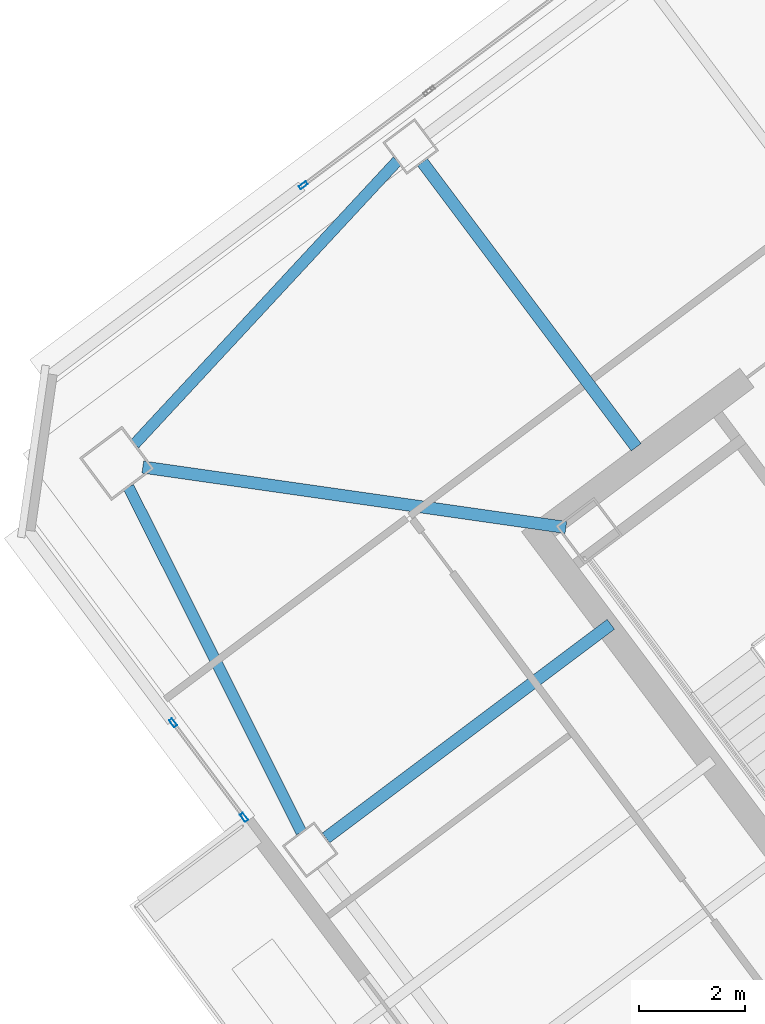
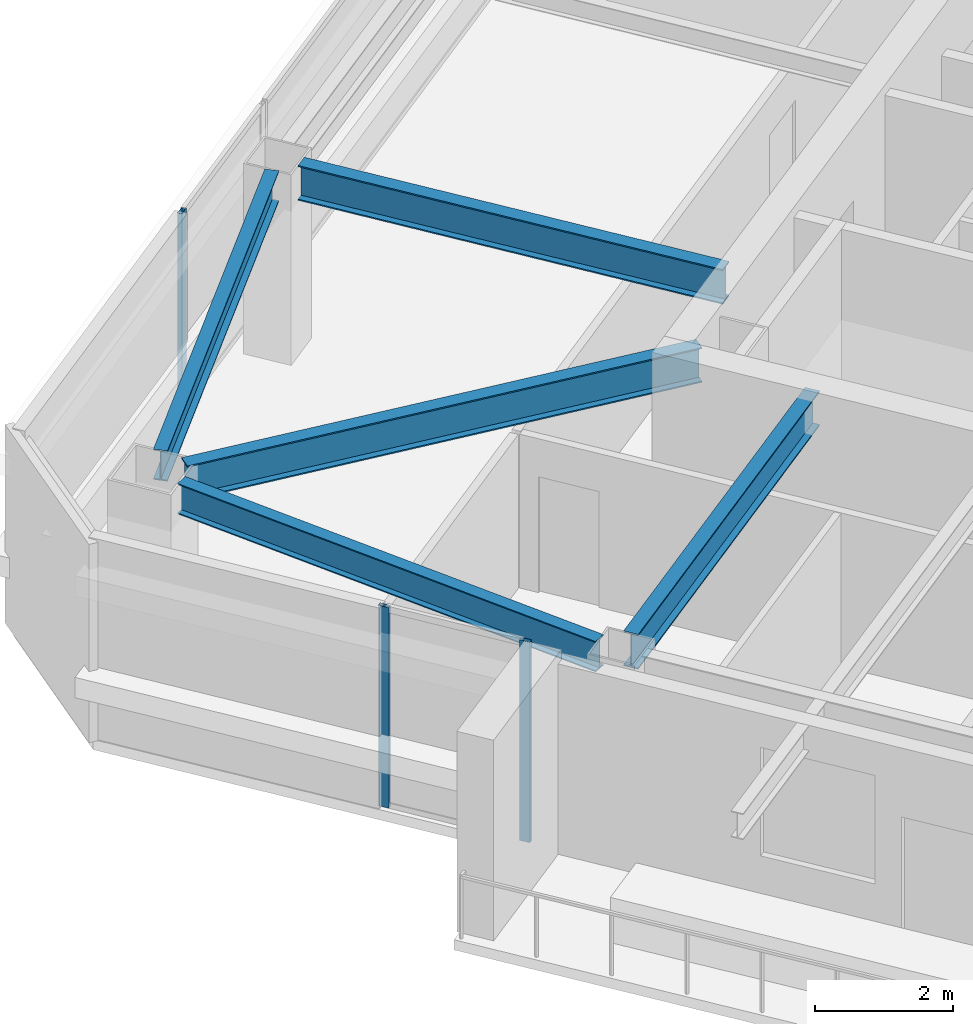
# One storey, part 20 of 39: 5 beams, 3 members, 2 elements without a shape of their own.
"""IFC4 building model written with IfcOpenShell, lengths in metres."""

from ifc_helpers import new_model, si_unit, direction, frame, origin, origin_2d, place, context, subcontext, project, spatial, hollow_rectangle, i_section, extrude, material, material_profile, profile_set, type_object, element, aggregate, save


model = new_model("IFC4")

# Units and contexts
model_context = context("Model", 3, precision=1e-05, world=origin(), true_north=direction((0.0, 1.0)))
body_context = subcontext(model_context, "Body", "Model", "MODEL_VIEW")
ifc_project = project(units=[si_unit("LENGTHUNIT", "METRE"), si_unit("AREAUNIT", "SQUARE_METRE"), si_unit("VOLUMEUNIT", "CUBIC_METRE"), si_unit("PLANEANGLEUNIT", "RADIAN"), si_unit("MASSUNIT", "GRAM", prefix="KILO")], contexts=[model_context])

# Site, building, storey
site_placement = place(None, origin())
site = spatial("IfcSite", under=ifc_project, at=site_placement, CompositionType="ELEMENT")
building_placement = place(site_placement, origin())
building = spatial("IfcBuilding", under=site, at=building_placement, Name="Tashvorn Skyway Center", CompositionType="ELEMENT")
storey_placement = place(building_placement, frame((0.0, 0.0, 225.5)))
storey = spatial("IfcBuildingStorey", under=building, at=storey_placement, Name="L61", CompositionType="ELEMENT", Elevation=225.5)

# Beams
ifc_material_1 = material(Name="Steel ASTM A992 Grade 50", Category="steel")
ifc_material_profile_1 = material_profile(ifc_material_1, i_section(OverallWidth=0.22998046875, OverallDepth=0.616943359375, WebThickness=0.01318359375, FlangeThickness=0.022216796875, at=origin_2d()), Name="W24X94")
ifc_profile_set_1 = profile_set([ifc_material_profile_1], Name="Steel ASTM A992 Grade 50")
beam_type_1 = type_object("IfcBeamType", Name="BM-BEAM-W24X94", PredefinedType="BEAM", material=ifc_profile_set_1)
beam_1_placement = place(storey_placement, frame((95.72998046875, 34.610107421875, 3.0615234375), z_axis=(0.989947064346, -0.141438360399, 0.0), x_axis=(0.141438360399, 0.989947064346, 0.0)))
element("IfcBeam", 1, at=beam_1_placement, inside=storey, type_object=beam_type_1, Name="Tower 2 L61 Primary Floor Girder MC-NW", PredefinedType="BEAM", context=body_context, shape_type="SweptSolid", body=[
    extrude(i_section(OverallWidth=0.22998046875, OverallDepth=0.616943359375, WebThickness=0.01318359375, FlangeThickness=0.022216796875, at=origin_2d()), origin(), (0.0, 0.0, 1.0), 8.040283203125),
])
beam_2_placement = place(storey_placement, frame((100.991943359375, 40.343994140625, 3.0615234375), z_axis=(0.599994169845, -0.800004372583, 0.0), x_axis=(0.800004372583, 0.599994169845, 0.0)))
element("IfcBeam", 2, at=beam_2_placement, inside=storey, type_object=beam_type_1, Name="Tower 2 L61 Primary Floor Girder FC-N2", PredefinedType="BEAM", context=body_context, shape_type="SweptSolid", body=[
    extrude(i_section(OverallWidth=0.22998046875, OverallDepth=0.616943359375, WebThickness=0.01318359375, FlangeThickness=0.022216796875, at=origin_2d()), origin(), (0.0, 0.0, 1.0), 6.7001953125),
])
beam_3_placement = place(storey_placement, frame((99.176025390625, 27.632080078125, 3.0615234375), z_axis=(0.799991254452, 0.600011660554, 0.0), x_axis=(-0.600011660554, 0.799991254452, 0.0)))
element("IfcBeam", 3, at=beam_3_placement, inside=storey, type_object=beam_type_1, Name="Tower 2 L61 Primary Floor Girder FC-W1", PredefinedType="BEAM", context=body_context, shape_type="SweptSolid", body=[
    extrude(i_section(OverallWidth=0.22998046875, OverallDepth=0.616943359375, WebThickness=0.01318359375, FlangeThickness=0.022216796875, at=origin_2d()), origin(), (0.0, 0.0, 1.0), 6.699951171875),
])
ifc_material_profile_2 = material_profile(ifc_material_1, i_section(OverallWidth=0.2109375, OverallDepth=0.5390625, WebThickness=0.01171875, FlangeThickness=0.018798828125, at=origin_2d()), Name="W21X73")
ifc_profile_set_2 = profile_set([ifc_material_profile_2], Name="Steel ASTM A992 Grade 50")
beam_type_2 = type_object("IfcBeamType", Name="BM-SPANDREL-W21X73", PredefinedType="SPANDREL", material=ifc_profile_set_2)
for number, where, z_axis, x_axis, name in (
    (4, (100.518310546875, 40.36865234375, 3.1005859375), (-0.680182956622, -0.733042389989, 0.0), (0.733042389989, -0.680182956622, 0.0), "Tower 2 L61 Spandrel Beam 09"),
    (5, (95.461669921875, 34.2373046875, 3.1005859375), (0.447710870872, -0.894178380472, 0.0), (0.894178380472, 0.447710870872, 0.0), "Tower 2 L61 Spandrel Beam 10"),
):
    element("IfcBeam", number, at=place(storey_placement, frame(where, z_axis=z_axis, x_axis=x_axis)), inside=storey, type_object=beam_type_2, Name=name, PredefinedType="SPANDREL", context=body_context, shape_type="SweptSolid", body=[
        extrude(i_section(OverallWidth=0.2109375, OverallDepth=0.5390625, WebThickness=0.01171875, FlangeThickness=0.018798828125, at=origin_2d()), origin(), (0.0, 0.0, 1.0), 7.26513671875),
    ])

# Curtain wall, members
ifc_material_2 = material(Name="Thermally broken bronze-anodized aluminium 6063-T6", Category="aluminium")
curtain_wall_type = type_object("IfcCurtainWallType", Name="CW-CW-Z5", PredefinedType="NOTDEFINED", material=ifc_material_2)
curtain_wall_1_placement = place(storey_placement, origin())
curtain_wall_1 = element("IfcCurtainWall", 6, at=curtain_wall_1_placement, inside=storey, type_object=curtain_wall_type, Name="Tower 2 L61 West Curtain Wall R Glazing Group 1", PredefinedType="NOTDEFINED")
ifc_material_profile_3 = material_profile(ifc_material_2, hollow_rectangle(XDim=0.070068359375, YDim=0.1650390625, WallThickness=0.00390625, at=origin_2d()), Name="ALU-MULL-70x165")
ifc_profile_set_3 = profile_set([ifc_material_profile_3], Name="Thermally broken bronze-anodized aluminium 6063-T6")
member_type = type_object("IfcMemberType", Name="CWM-CW-Z5", PredefinedType="MULLION", material=ifc_profile_set_3)
member_1_placement = place(storey_placement, frame((97.635009765625, 28.02001953125, 0.0), z_axis=(0.0, 0.0, 1.0), x_axis=(-0.800005232469, -0.599993023312, 0.0)))
member_1 = element("IfcMember", 7, at=member_1_placement, type_object=member_type, Name="CW-Z5 mullion 1", PredefinedType="MULLION", context=body_context, shape_type="SweptSolid", body=[
    extrude(hollow_rectangle(XDim=0.070068359375, YDim=0.1650390625, WallThickness=0.00390625, at=origin_2d()), origin(), (0.0, 0.0, 1.0), 3.550048828125),
])
member_2_placement = place(storey_placement, frame((96.301025390625, 29.798583984375, 0.0), z_axis=(0.0, 0.0, 1.0), x_axis=(-0.800005232469, -0.599993023312, 0.0)))
member_2 = element("IfcMember", 8, at=member_2_placement, type_object=member_type, Name="CW-Z5 mullion 2", PredefinedType="MULLION", context=body_context, shape_type="SweptSolid", body=[
    extrude(hollow_rectangle(XDim=0.070068359375, YDim=0.1650390625, WallThickness=0.00390625, at=origin_2d()), origin(), (0.0, 0.0, 1.0), 3.550048828125),
])
aggregate(curtain_wall_1, [member_1, member_2])

# Curtain wall, member
curtain_wall_2_placement = place(storey_placement, origin())
curtain_wall_2 = element("IfcCurtainWall", 9, at=curtain_wall_2_placement, inside=storey, type_object=curtain_wall_type, Name="Tower 2 L61 North Unitised Curtain Wall Glazing Group 1", PredefinedType="NOTDEFINED")
member_3_placement = place(storey_placement, frame((98.748779296875, 39.91162109375, 0.0), z_axis=(0.0, 0.0, 1.0), x_axis=(-0.600000000002, 0.799999999998, 0.0)))
member_3 = element("IfcMember", 10, at=member_3_placement, type_object=member_type, Name="CW-Z5 mullion 1", PredefinedType="MULLION", context=body_context, shape_type="SweptSolid", body=[
    extrude(hollow_rectangle(XDim=0.070068359375, YDim=0.1650390625, WallThickness=0.00390625, at=origin_2d()), origin(), (0.0, 0.0, 1.0), 3.550048828125),
])
aggregate(curtain_wall_2, [member_3])

save(model, "model.ifc")
